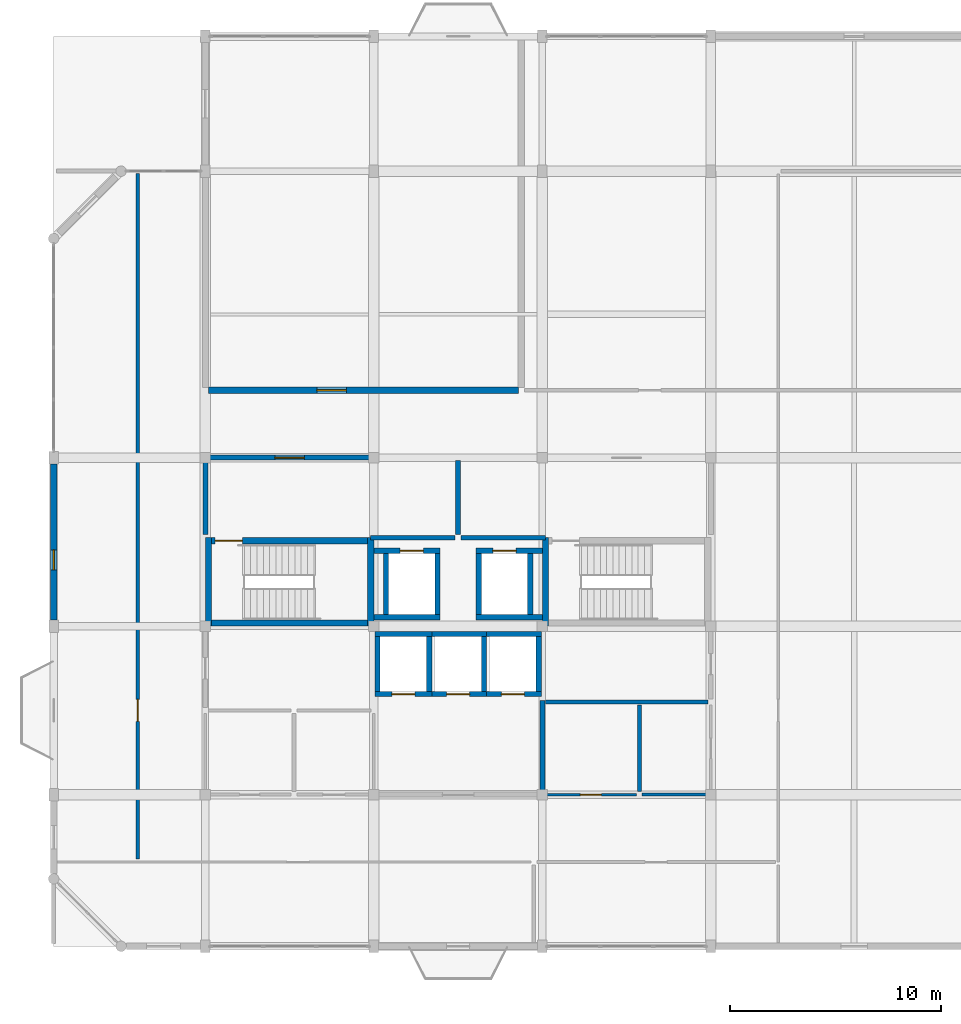
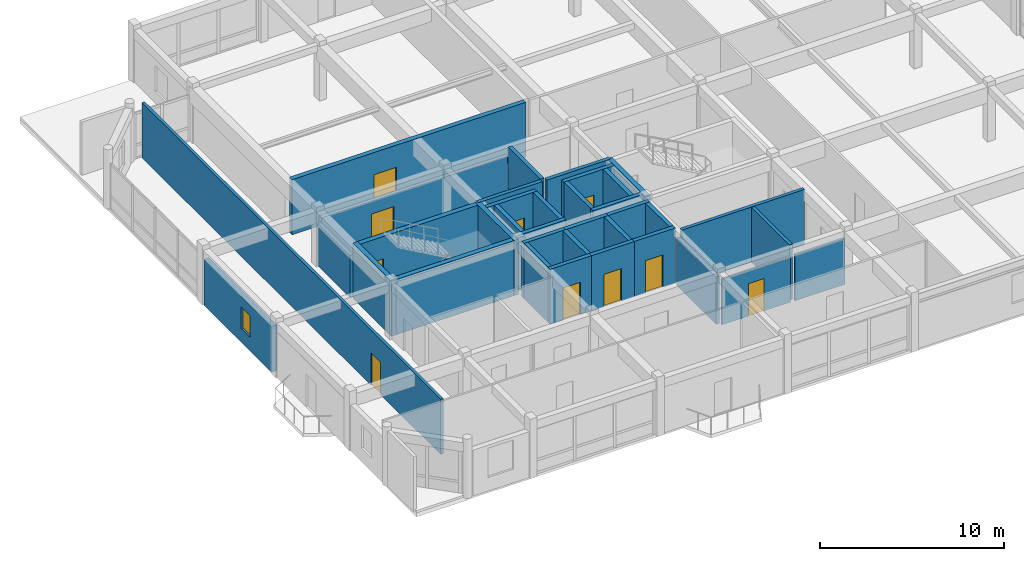
# One storey, part 9 of 12: 36 walls, 10 doors, 1 window, 11 openings.
"""IFC4 building model written with IfcOpenShell, lengths in metres."""

from ifc_helpers import new_model, si_unit, direction, frame, frame_2d, origin, place, context, subcontext, project, spatial, rectangle, extrude, material, layer, layer_set, type_object, element, fill, save


model = new_model("IFC4")

# Units and contexts
model_context = context("Model", 3, precision=1e-05, world=origin(), true_north=direction((0.0, 1.0)))
body_context = subcontext(model_context, "Body", "Model", "MODEL_VIEW")
ifc_project = project(units=[si_unit("LENGTHUNIT", "METRE"), si_unit("AREAUNIT", "SQUARE_METRE"), si_unit("VOLUMEUNIT", "CUBIC_METRE"), si_unit("PLANEANGLEUNIT", "RADIAN"), si_unit("MASSUNIT", "GRAM", prefix="KILO")], contexts=[model_context])

# Site, building, storey
site_placement = place(None, origin())
site = spatial("IfcSite", under=ifc_project, at=site_placement, CompositionType="ELEMENT")
building_placement = place(site_placement, origin())
building = spatial("IfcBuilding", under=site, at=building_placement, Name="Vellmiral Cinema and Media Centre", CompositionType="ELEMENT")
storey_placement = place(building_placement, frame((0.0, 0.0, 62.64990234375)))
storey = spatial("IfcBuildingStorey", under=building, at=storey_placement, Name="L15", CompositionType="ELEMENT", Elevation=62.64990234375)

# Wall, opening, door
ifc_material_1 = material(Name="Calcium-Silicate Masonry Blockwork", Category="masonry")
ifc_layer_1 = layer(ifc_material_1, 0.10009765625, Name="Calcium-Silicate Masonry Blockwork", Category="masonry")
ifc_material_2 = material(Name="Mineral Wool Acoustic Insulation", Category="insulation")
ifc_layer_2 = layer(ifc_material_2, 0.090087890625, Name="Mineral Wool Acoustic Insulation", Category="insulation")
ifc_layer_3 = layer(ifc_material_1, 0.10009765625, Name="Calcium-Silicate Masonry Blockwork", Category="masonry")
ifc_layer_set_1 = layer_set([ifc_layer_1, ifc_layer_2, ifc_layer_3], Name="Calcium-Silicate Masonry Blockwork")
wall_type_1 = type_object("IfcWallType", Name="WL-AC-290", PredefinedType="SOLIDWALL", material=ifc_layer_set_1)
wall_1_placement = place(storey_placement, frame((124.139892578125, 98.39990234375, 0.0), z_axis=(0.0, 0.0, 1.0), x_axis=(1.0, 0.0, 0.0)))
wall_1 = element("IfcWall", 1, at=wall_1_placement, inside=storey, type_object=wall_type_1, Name="Executive Documentary Screening Room Wall S", PredefinedType="SOLIDWALL", context=body_context, shape_type="SweptSolid", body=[
    extrude(rectangle(XDim=14.72021484375, YDim=0.2900390625, at=frame_2d((7.360107421875, 0.0))), origin(), (0.0, 0.0, 1.0), 3.670166015625),
])
opening_1_placement = place(wall_1_placement, frame((5.159912109375, 0.0, 0.0)))
opening_1 = element("IfcOpeningElement", 2, at=opening_1_placement, cuts=wall_1, Name="Opening D-AC4", PredefinedType="OPENING", context=body_context, shape_type="SweptSolid", body=[
    extrude(rectangle(XDim=1.39990234375, YDim=2.199951171875, at=frame_2d((0.699951171875, 1.10009765625))), frame((0.0, 0.156982421875, 0.0), z_axis=(0.0, -1.0, 0.0), x_axis=(1.0, 0.0, 0.0)), (0.0, 0.0, 1.0), 0.31396484375),
])
ifc_material_3 = material(Name="Acoustic Studio Door", Category="steel")
door_type_1 = type_object("IfcDoorType", Name="DR-AC-1400x2200", OperationType="NOTDEFINED", PredefinedType="DOOR", material=ifc_material_3)
door_1_placement = place(opening_1_placement, frame((1.39990234375, 0.0, 0.0), z_axis=(0.0, 0.0, 1.0), x_axis=(-1.0, 0.0, 0.0)))
door_1 = element("IfcDoor", 3, at=door_1_placement, inside=storey, type_object=door_type_1, Name="Executive Documentary Screening Room Door", OperationType="SINGLE_SWING_RIGHT", OverallHeight=2.199951171875, OverallWidth=1.39990234375, PredefinedType="DOOR", context=body_context, shape_type="SweptSolid", body=[
    extrude(rectangle(XDim=1.39990234375, YDim=2.199951171875, at=frame_2d((0.699951171875, 1.10009765625))), frame((0.0, 0.02490234375, 0.0), z_axis=(0.0, -1.0, 0.0), x_axis=(1.0, 0.0, 0.0)), (0.0, 0.0, 1.0), 0.050048828125),
])
fill(opening_1, door_1)

# Walls
ifc_material_4 = material(Name="Concrete C40/50", Category="concrete")
ifc_layer_4 = layer(ifc_material_4, 0.2099609375, Name="Concrete C40/50")
ifc_layer_set_2 = layer_set([ifc_layer_4], Name="Concrete C40/50")
wall_type_2 = type_object("IfcWallType", Name="WL-COMP-210", PredefinedType="SOLIDWALL", material=ifc_layer_set_2)
wall_2_placement = place(storey_placement, frame((140.139892578125, 83.60009765625, 0.0), z_axis=(0.0, 0.0, 1.0), x_axis=(1.0, 0.0, 0.0)))
element("IfcWall", 4, at=wall_2_placement, inside=storey, type_object=wall_type_2, Name="Mechanical Riser and Duct Room Wall S", PredefinedType="SOLIDWALL", context=body_context, shape_type="SweptSolid", body=[
    extrude(rectangle(XDim=7.72021484375, YDim=0.2099609375, at=frame_2d((3.860107421875, 0.0))), origin(), (0.0, 0.0, 1.0), 3.670166015625),
])
ifc_material_5 = material(Name="Concrete C40/50", Category="concrete")
ifc_layer_5 = layer(ifc_material_5, 0.300048828125, Name="Concrete C40/50")
ifc_layer_set_3 = layer_set([ifc_layer_5], Name="Concrete C40/50")
wall_type_3 = type_object("IfcWallType", Name="WL-CORE-300", PredefinedType="SHEAR", material=ifc_layer_set_3)
for number, where, z_axis, x_axis, name in (
    (5, (124.14990234375, 87.199951171875, 0.0), (0.0, 0.0, 1.0), (0.0, 1.0, 0.0), "Stair Core Wall ST-T1 L15-W"),
    (6, (131.85009765625, 87.199951171875, 0.0), (0.0, 0.0, 1.0), (0.0, 1.0, 0.0), "Stair Core Wall ST-T1 L15-E"),
):
    element("IfcWall", number, at=place(storey_placement, frame(where, z_axis=z_axis, x_axis=x_axis)), inside=storey, type_object=wall_type_3, Name=name, PredefinedType="SHEAR", context=body_context, shape_type="SweptSolid", body=[
        extrude(rectangle(XDim=4.199951171875, YDim=0.300048828125, at=frame_2d((2.10009765625, 0.0))), origin(), (0.0, 0.0, 1.0), 3.670166015625),
    ])
wall_3_placement = place(storey_placement, frame((124.300048828125, 87.35009765625, 0.0), z_axis=(0.0, 0.0, 1.0), x_axis=(1.0, 0.0, 0.0)))
element("IfcWall", 7, at=wall_3_placement, inside=storey, type_object=wall_type_3, Name="Stair Core Wall ST-T1 L15-S", PredefinedType="SHEAR", context=body_context, shape_type="SweptSolid", body=[
    extrude(rectangle(XDim=7.39990234375, YDim=0.300048828125, at=frame_2d((3.699951171875, 0.0))), origin(), (0.0, 0.0, 1.0), 3.670166015625),
])

# Wall, opening, door
wall_4_placement = place(storey_placement, frame((124.300048828125, 91.25, 0.0), z_axis=(0.0, 0.0, 1.0), x_axis=(1.0, 0.0, 0.0)))
wall_4 = element("IfcWall", 8, at=wall_4_placement, inside=storey, type_object=wall_type_3, Name="Stair Core Wall ST-T1 L15-N", PredefinedType="SHEAR", context=body_context, shape_type="SweptSolid", body=[
    extrude(rectangle(XDim=7.39990234375, YDim=0.300048828125, at=frame_2d((3.699951171875, 0.0))), origin(), (0.0, 0.0, 1.0), 3.670166015625),
])
opening_2_placement = place(wall_4_placement, frame((0.159912109375, 0.0, 0.0)))
opening_2 = element("IfcOpeningElement", 9, at=opening_2_placement, cuts=wall_4, Name="Opening D-FD30A", PredefinedType="OPENING", context=body_context, shape_type="SweptSolid", body=[
    extrude(rectangle(XDim=1.300048828125, YDim=2.179931640625, at=frame_2d((0.64990234375, 1.08984375))), frame((0.0, 0.162109375, 0.0), z_axis=(0.0, -1.0, 0.0), x_axis=(1.0, 0.0, 0.0)), (0.0, 0.0, 1.0), 0.323974609375),
])
ifc_material_6 = material(Name="Steel Stair Fire Door", Category="steel")
door_type_2 = type_object("IfcDoorType", Name="DR-FD30-1300x2180", OperationType="NOTDEFINED", PredefinedType="DOOR", material=ifc_material_6)
door_2_placement = place(opening_2_placement, frame((1.300048828125, 0.0, 0.0), z_axis=(0.0, 0.0, 1.0), x_axis=(-1.0, 0.0, 0.0)))
door_2 = element("IfcDoor", 10, at=door_2_placement, inside=storey, type_object=door_type_2, Name="Protected Stair Door ST-T1 L15", OperationType="SINGLE_SWING_RIGHT", OverallHeight=2.179931640625, OverallWidth=1.300048828125, PredefinedType="DOOR", context=body_context, shape_type="SweptSolid", body=[
    extrude(rectangle(XDim=1.300048828125, YDim=2.179931640625, at=frame_2d((0.64990234375, 1.08984375))), frame((0.0, 0.02490234375, 0.0), z_axis=(0.0, -1.0, 0.0), x_axis=(1.0, 0.0, 0.0)), (0.0, 0.0, 1.0), 0.050048828125),
])
fill(opening_2, door_2)

# Wall
wall_5_placement = place(storey_placement, frame((140.14990234375, 87.199951171875, 0.0), z_axis=(0.0, 0.0, 1.0), x_axis=(0.0, 1.0, 0.0)))
element("IfcWall", 11, at=wall_5_placement, inside=storey, type_object=wall_type_3, Name="Stair Core Wall ST-T2 L15-W", PredefinedType="SHEAR", context=body_context, shape_type="SweptSolid", body=[
    extrude(rectangle(XDim=4.199951171875, YDim=0.300048828125, at=frame_2d((2.10009765625, 0.0))), origin(), (0.0, 0.0, 1.0), 3.670166015625),
])

# Wall, opening, window
ifc_material_7 = material(Name="Polychrome Glazed Ceramic Cladding", Category="masonry")
ifc_layer_6 = layer(ifc_material_7, 0.320068359375, Name="Polychrome Glazed Ceramic Cladding")
ifc_layer_set_4 = layer_set([ifc_layer_6], Name="Polychrome Glazed Ceramic Cladding")
wall_type_4 = type_object("IfcWallType", Name="WL-EXT-BRICK-320", PredefinedType="SOLIDWALL", material=ifc_layer_set_4)
wall_6_placement = place(storey_placement, frame((116.800048828125, 94.89990234375, 0.0), z_axis=(0.0, 0.0, 1.0), x_axis=(0.0, -1.0, 0.0)))
wall_6 = element("IfcWall", 12, at=wall_6_placement, inside=storey, type_object=wall_type_4, Name="Exterior Facade Wall L15-023", PredefinedType="SOLIDWALL", context=body_context, shape_type="SweptSolid", body=[
    extrude(rectangle(XDim=7.39990234375, YDim=0.320068359375, at=frame_2d((3.699951171875, 0.0))), origin(), (0.0, 0.0, 1.0), 3.050048828125),
])
opening_3_placement = place(wall_6_placement, frame((4.074951171875, 0.0, 0.89990234375)))
opening_3 = element("IfcOpeningElement", 13, at=opening_3_placement, cuts=wall_6, Name="Opening WN-12", PredefinedType="OPENING", context=body_context, shape_type="SweptSolid", body=[
    extrude(rectangle(XDim=0.949951171875, YDim=1.449951171875, at=frame_2d((0.47509765625, 0.72509765625))), frame((0.0, 0.171875, 0.0), z_axis=(0.0, -1.0, 0.0), x_axis=(1.0, 0.0, 0.0)), (0.0, 0.0, 1.0), 0.343994140625),
])
ifc_material_8 = material(Name="Thermally Broken Aluminium Triple Glazing", Category="aluminium")
window_type = type_object("IfcWindowType", Name="WN-0950x1450", PartitioningType="SINGLE_PANEL", PredefinedType="WINDOW", material=ifc_material_8)
window_placement = place(opening_3_placement, origin())
window = element("IfcWindow", 14, at=window_placement, inside=storey, type_object=window_type, Name="Window L15-023", OverallHeight=1.449951171875, OverallWidth=0.949951171875, PartitioningType="SINGLE_PANEL", PredefinedType="WINDOW", context=body_context, shape_type="SweptSolid", body=[
    extrude(rectangle(XDim=0.949951171875, YDim=1.449951171875, at=frame_2d((0.47509765625, 0.72509765625))), frame((0.0, 0.030029296875, 0.0), z_axis=(0.0, -1.0, 0.0), x_axis=(1.0, 0.0, 0.0)), (0.0, 0.0, 1.0), 0.06005859375),
])
fill(opening_3, window)

# Wall
ifc_material_9 = material(Name="Concrete C40/50", Category="concrete")
ifc_layer_7 = layer(ifc_material_9, 0.22998046875, Name="Concrete C40/50")
ifc_layer_set_5 = layer_set([ifc_layer_7], Name="Concrete C40/50")
wall_type_5 = type_object("IfcWallType", Name="WL-FFL-230", PredefinedType="SOLIDWALL", material=ifc_layer_set_5)
wall_7_placement = place(storey_placement, frame((131.840087890625, 91.39990234375, 0.0), z_axis=(0.0, 0.0, 1.0), x_axis=(1.0, 0.0, 0.0)))
element("IfcWall", 15, at=wall_7_placement, inside=storey, type_object=wall_type_5, Name="Firefighting Lobby West Wall S", PredefinedType="SOLIDWALL", context=body_context, shape_type="SweptSolid", body=[
    extrude(rectangle(XDim=4.02001953125, YDim=0.22998046875, at=frame_2d((2.010009765625, 0.0))), origin(), (0.0, 0.0, 1.0), 3.670166015625),
])

# Wall, opening, door
wall_8_placement = place(storey_placement, frame((124.139892578125, 95.199951171875, 0.0), z_axis=(0.0, 0.0, 1.0), x_axis=(1.0, 0.0, 0.0)))
wall_8 = element("IfcWall", 16, at=wall_8_placement, inside=storey, type_object=wall_type_5, Name="Firefighting Lobby West Wall N", PredefinedType="SOLIDWALL", context=body_context, shape_type="SweptSolid", body=[
    extrude(rectangle(XDim=11.72021484375, YDim=0.22998046875, at=frame_2d((5.860107421875, 0.0))), origin(), (0.0, 0.0, 1.0), 3.045166015625),
])
opening_4_placement = place(wall_8_placement, frame((3.159912109375, 0.0, 0.0)))
opening_4 = element("IfcOpeningElement", 17, at=opening_4_placement, cuts=wall_8, Name="Opening D-FD60B", PredefinedType="OPENING", context=body_context, shape_type="SweptSolid", body=[
    extrude(rectangle(XDim=1.39990234375, YDim=2.199951171875, at=frame_2d((0.699951171875, 1.10009765625))), frame((0.0, 0.126953125, 0.0), z_axis=(0.0, -1.0, 0.0), x_axis=(1.0, 0.0, 0.0)), (0.0, 0.0, 1.0), 0.25390625),
])
ifc_material_10 = material(Name="Steel Fire Door", Category="steel")
door_type_3 = type_object("IfcDoorType", Name="DR-FD60-1400x2200", OperationType="NOTDEFINED", PredefinedType="DOOR", material=ifc_material_10)
door_3_placement = place(opening_4_placement, frame((1.39990234375, 0.0, 0.0), z_axis=(0.0, 0.0, 1.0), x_axis=(-1.0, 0.0, 0.0)))
door_3 = element("IfcDoor", 18, at=door_3_placement, inside=storey, type_object=door_type_3, Name="Firefighting Lobby West Door", OperationType="SINGLE_SWING_RIGHT", OverallHeight=2.199951171875, OverallWidth=1.39990234375, PredefinedType="DOOR", context=body_context, shape_type="SweptSolid", body=[
    extrude(rectangle(XDim=1.39990234375, YDim=2.199951171875, at=frame_2d((0.699951171875, 1.10009765625))), frame((0.0, 0.02490234375, 0.0), z_axis=(0.0, -1.0, 0.0), x_axis=(1.0, 0.0, 0.0)), (0.0, 0.0, 1.0), 0.050048828125),
])
fill(opening_4, door_3)

# Walls
wall_9_placement = place(storey_placement, frame((124.0, 91.5400390625, 0.0), z_axis=(0.0, 0.0, 1.0), x_axis=(0.0, 1.0, 0.0)))
element("IfcWall", 19, at=wall_9_placement, inside=storey, type_object=wall_type_5, Name="Firefighting Lobby West Wall W", PredefinedType="SOLIDWALL", context=body_context, shape_type="SweptSolid", body=[
    extrude(rectangle(XDim=3.52001953125, YDim=0.22998046875, at=frame_2d((1.760009765625, 0.0))), origin(), (0.0, 0.0, 1.0), 2.795166015625),
])
wall_10_placement = place(storey_placement, frame((136.0, 91.5400390625, 0.0), z_axis=(0.0, 0.0, 1.0), x_axis=(0.0, 1.0, 0.0)))
element("IfcWall", 20, at=wall_10_placement, inside=storey, type_object=wall_type_5, Name="Firefighting Lobby West Wall E", PredefinedType="SOLIDWALL", context=body_context, shape_type="SweptSolid", body=[
    extrude(rectangle(XDim=3.52001953125, YDim=0.22998046875, at=frame_2d((1.760009765625, 0.0))), origin(), (0.0, 0.0, 1.0), 3.670166015625),
])
wall_11_placement = place(storey_placement, frame((136.139892578125, 91.39990234375, 0.0), z_axis=(0.0, 0.0, 1.0), x_axis=(1.0, 0.0, 0.0)))
element("IfcWall", 21, at=wall_11_placement, inside=storey, type_object=wall_type_5, Name="Firefighting Lobby East Wall S", PredefinedType="SOLIDWALL", context=body_context, shape_type="SweptSolid", body=[
    extrude(rectangle(XDim=4.02001953125, YDim=0.22998046875, at=frame_2d((2.010009765625, 0.0))), origin(), (0.0, 0.0, 1.0), 3.670166015625),
])
wall_12_placement = place(storey_placement, frame((140.0, 79.340087890625, 0.0), z_axis=(0.0, 0.0, 1.0), x_axis=(0.0, 1.0, 0.0)))
element("IfcWall", 22, at=wall_12_placement, inside=storey, type_object=wall_type_5, Name="Tower Passenger Lift Lobby Wall E", PredefinedType="SOLIDWALL", context=body_context, shape_type="SweptSolid", body=[
    extrude(rectangle(XDim=4.31982421875, YDim=0.22998046875, at=frame_2d((2.159912109375, 0.0))), origin(), (0.0, 0.0, 1.0), 3.14501953125),
])

# Wall, opening, door
ifc_material_11 = material(Name="Gypsum Plasterboard")
ifc_layer_8 = layer(ifc_material_11, 0.02490234375, Name="Gypsum Plasterboard", Category="gypsum")
ifc_material_12 = material(Name="Mineral Wool Acoustic Insulation", Category="insulation")
ifc_layer_9 = layer(ifc_material_12, 0.06005859375, Name="Mineral Wool Acoustic Insulation", Category="insulation")
ifc_layer_10 = layer(ifc_material_11, 0.02490234375, Name="Gypsum Plasterboard", Category="gypsum")
ifc_layer_set_6 = layer_set([ifc_layer_8, ifc_layer_9, ifc_layer_10], Name="Gypsum Plasterboard")
wall_type_6 = type_object("IfcWallType", Name="WL-PART-110", PredefinedType="PARTITIONING", material=ifc_layer_set_6)
wall_13_placement = place(storey_placement, frame((140.139892578125, 79.199951171875, 0.0), z_axis=(0.0, 0.0, 1.0), x_axis=(1.0, 0.0, 0.0)))
wall_13 = element("IfcWall", 23, at=wall_13_placement, inside=storey, type_object=wall_type_6, Name="Staff Tea Pantry Wall S", PredefinedType="PARTITIONING", context=body_context, shape_type="SweptSolid", body=[
    extrude(rectangle(XDim=4.320068359375, YDim=0.110107421875, at=frame_2d((2.16015625, 0.0))), origin(), (0.0, 0.0, 1.0), 3.045166015625),
])
opening_5_placement = place(wall_13_placement, frame((1.659912109375, 0.0, 0.0)))
opening_5 = element("IfcOpeningElement", 24, at=opening_5_placement, cuts=wall_13, Name="Opening D-I08", PredefinedType="OPENING", context=body_context, shape_type="SweptSolid", body=[
    extrude(rectangle(XDim=1.0, YDim=2.14990234375, at=frame_2d((0.5, 1.074951171875))), frame((0.0, 0.06689453125, 0.0), z_axis=(0.0, -1.0, 0.0), x_axis=(1.0, 0.0, 0.0)), (0.0, 0.0, 1.0), 0.134033203125),
])
ifc_material_13 = material(Name="Laminated Timber Door", Category="wood")
door_type_4 = type_object("IfcDoorType", Name="DR-INT-1000x2150", OperationType="NOTDEFINED", PredefinedType="DOOR", material=ifc_material_13)
door_4_placement = place(opening_5_placement, origin())
door_4 = element("IfcDoor", 25, at=door_4_placement, inside=storey, type_object=door_type_4, Name="Staff Tea Pantry Door", OperationType="SINGLE_SWING_RIGHT", OverallHeight=2.14990234375, OverallWidth=1.0, PredefinedType="DOOR", context=body_context, shape_type="SweptSolid", body=[
    extrude(rectangle(XDim=1.0, YDim=2.14990234375, at=frame_2d((0.5, 1.074951171875))), frame((0.0, 0.02490234375, 0.0), z_axis=(0.0, -1.0, 0.0), x_axis=(1.0, 0.0, 0.0)), (0.0, 0.0, 1.0), 0.050048828125),
])
fill(opening_5, door_4)

# Wall
ifc_material_14 = material(Name="Gypsum Plasterboard")
ifc_layer_11 = layer(ifc_material_14, 0.02490234375, Name="Gypsum Plasterboard", Category="gypsum")
ifc_material_15 = material(Name="Mineral Wool Acoustic Insulation", Category="insulation")
ifc_layer_12 = layer(ifc_material_15, 0.10009765625, Name="Mineral Wool Acoustic Insulation", Category="insulation")
ifc_layer_13 = layer(ifc_material_14, 0.02490234375, Name="Gypsum Plasterboard", Category="gypsum")
ifc_layer_set_7 = layer_set([ifc_layer_11, ifc_layer_12, ifc_layer_13], Name="Gypsum Plasterboard")
wall_type_7 = type_object("IfcWallType", Name="WL-PART-150", PredefinedType="PARTITIONING", material=ifc_layer_set_7)
wall_14_placement = place(storey_placement, frame((144.739990234375, 79.199951171875, 0.0), z_axis=(0.0, 0.0, 1.0), x_axis=(1.0, 0.0, 0.0)))
element("IfcWall", 26, at=wall_14_placement, inside=storey, type_object=wall_type_7, Name="Equipment Store Room Wall S", PredefinedType="PARTITIONING", context=body_context, shape_type="SweptSolid", body=[
    extrude(rectangle(XDim=3.1201171875, YDim=0.14990234375, at=frame_2d((1.56005859375, 0.0))), origin(), (0.0, 0.0, 1.0), 3.045166015625),
])

# Wall, opening, door
ifc_material_16 = material(Name="Gypsum Plasterboard")
ifc_layer_14 = layer(ifc_material_16, 0.02490234375, Name="Gypsum Plasterboard", Category="gypsum")
ifc_material_17 = material(Name="Mineral Wool Acoustic Insulation", Category="insulation")
ifc_layer_15 = layer(ifc_material_17, 0.1201171875, Name="Mineral Wool Acoustic Insulation", Category="insulation")
ifc_layer_16 = layer(ifc_material_16, 0.02490234375, Name="Gypsum Plasterboard", Category="gypsum")
ifc_layer_set_8 = layer_set([ifc_layer_14, ifc_layer_15, ifc_layer_16], Name="Gypsum Plasterboard")
wall_type_8 = type_object("IfcWallType", Name="WL-PART-170", PredefinedType="PARTITIONING", material=ifc_layer_set_8)
wall_15_placement = place(storey_placement, frame((120.800048828125, 76.139892578125, 0.0), z_axis=(0.0, 0.0, 1.0), x_axis=(0.0, 1.0, 0.0)))
wall_15 = element("IfcWall", 27, at=wall_15_placement, inside=storey, type_object=wall_type_8, Name="West Executive Mirador Office Wall E", PredefinedType="PARTITIONING", context=body_context, shape_type="SweptSolid", body=[
    extrude(rectangle(XDim=32.55517578125, YDim=0.169921875, at=frame_2d((16.277587890625, 0.0))), origin(), (0.0, 0.0, 1.0), 3.670166015625),
])
opening_6_placement = place(wall_15_placement, frame((6.534912109375, 0.0, 0.0)))
opening_6 = element("IfcOpeningElement", 28, at=opening_6_placement, cuts=wall_15, Name="Opening D-I07", PredefinedType="OPENING", context=body_context, shape_type="SweptSolid", body=[
    extrude(rectangle(XDim=1.050048828125, YDim=2.14990234375, at=frame_2d((0.52490234375, 1.074951171875))), frame((0.0, 0.096923828125, 0.0), z_axis=(0.0, -1.0, 0.0), x_axis=(1.0, 0.0, 0.0)), (0.0, 0.0, 1.0), 0.19384765625),
])
ifc_material_18 = material(Name="Laminated Timber Door", Category="wood")
door_type_5 = type_object("IfcDoorType", Name="DR-INT-1050x2150", OperationType="NOTDEFINED", PredefinedType="DOOR", material=ifc_material_18)
door_5_placement = place(opening_6_placement, origin())
door_5 = element("IfcDoor", 29, at=door_5_placement, inside=storey, type_object=door_type_5, Name="West Executive Mirador Office Door", OperationType="SINGLE_SWING_LEFT", OverallHeight=2.14990234375, OverallWidth=1.050048828125, PredefinedType="DOOR", context=body_context, shape_type="SweptSolid", body=[
    extrude(rectangle(XDim=1.050048828125, YDim=2.14990234375, at=frame_2d((0.52490234375, 1.074951171875))), frame((0.0, 0.02490234375, 0.0), z_axis=(0.0, -1.0, 0.0), x_axis=(1.0, 0.0, 0.0)), (0.0, 0.0, 1.0), 0.050048828125),
])
fill(opening_6, door_5)

# Walls
ifc_material_19 = material(Name="Gypsum Plasterboard")
ifc_layer_17 = layer(ifc_material_19, 0.02490234375, Name="Gypsum Plasterboard", Category="gypsum")
ifc_material_20 = material(Name="Mineral Wool Acoustic Insulation", Category="insulation")
ifc_layer_18 = layer(ifc_material_20, 0.139892578125, Name="Mineral Wool Acoustic Insulation", Category="insulation")
ifc_layer_19 = layer(ifc_material_19, 0.02490234375, Name="Gypsum Plasterboard", Category="gypsum")
ifc_layer_set_9 = layer_set([ifc_layer_17, ifc_layer_18, ifc_layer_19], Name="Gypsum Plasterboard")
wall_type_9 = type_object("IfcWallType", Name="WL-PART-190", PredefinedType="PARTITIONING", material=ifc_layer_set_9)
wall_16_placement = place(storey_placement, frame((144.60009765625, 79.340087890625, 0.0), z_axis=(0.0, 0.0, 1.0), x_axis=(0.0, 1.0, 0.0)))
element("IfcWall", 30, at=wall_16_placement, inside=storey, type_object=wall_type_9, Name="Staff Tea Pantry Wall E", PredefinedType="PARTITIONING", context=body_context, shape_type="SweptSolid", body=[
    extrude(rectangle(XDim=4.119873046875, YDim=0.18994140625, at=frame_2d((2.06005859375, 0.0))), origin(), (0.0, 0.0, 1.0), 3.670166015625),
])
ifc_material_21 = material(Name="Concrete C40/50", Category="concrete")
ifc_layer_20 = layer(ifc_material_21, 0.25, Name="Concrete C40/50")
ifc_layer_set_10 = layer_set([ifc_layer_20], Name="Concrete C40/50")
wall_type_10 = type_object("IfcWallType", Name="WL-SHAFT-250", PredefinedType="SHEAR", material=ifc_layer_set_10)
wall_17_placement = place(storey_placement, frame((132.0, 87.625, 0.0), z_axis=(0.0, 0.0, 1.0), x_axis=(1.0, 0.0, 0.0)))
element("IfcWall", 31, at=wall_17_placement, inside=storey, type_object=wall_type_10, Name="Lift Shaft Wall LF-FF1 L15-S", PredefinedType="SHEAR", context=body_context, shape_type="SweptSolid", body=[
    extrude(rectangle(XDim=3.14990234375, YDim=0.25, at=frame_2d((1.574951171875, 0.0))), origin(), (0.0, 0.0, 1.0), 3.670166015625),
])

# Wall, opening, door
wall_18_placement = place(storey_placement, frame((132.0, 90.77490234375, 0.0), z_axis=(0.0, 0.0, 1.0), x_axis=(1.0, 0.0, 0.0)))
wall_18 = element("IfcWall", 32, at=wall_18_placement, inside=storey, type_object=wall_type_10, Name="Lift Shaft Wall LF-FF1 L15-N", PredefinedType="SHEAR", context=body_context, shape_type="SweptSolid", body=[
    extrude(rectangle(XDim=3.14990234375, YDim=0.25, at=frame_2d((1.574951171875, 0.0))), origin(), (0.0, 0.0, 1.0), 3.670166015625),
])
opening_7_placement = place(wall_18_placement, frame((1.25, 0.0, 0.0)))
opening_7 = element("IfcOpeningElement", 33, at=opening_7_placement, cuts=wall_18, Name="Opening LD-01", PredefinedType="OPENING", context=body_context, shape_type="SweptSolid", body=[
    extrude(rectangle(XDim=1.10009765625, YDim=2.14990234375, at=frame_2d((0.550048828125, 1.074951171875))), frame((0.0, 0.136962890625, 0.0), z_axis=(0.0, -1.0, 0.0), x_axis=(1.0, 0.0, 0.0)), (0.0, 0.0, 1.0), 0.27392578125),
])
ifc_material_22 = material(Name="Stainless Steel Lift Landing Door", Category="steel")
door_type_6 = type_object("IfcDoorType", Name="DR-LIFT-1100x2150", OperationType="SLIDING_TO_LEFT", PredefinedType="DOOR", material=ifc_material_22)
door_6_placement = place(opening_7_placement, origin())
door_6 = element("IfcDoor", 34, at=door_6_placement, inside=storey, type_object=door_type_6, Name="Lift Landing Door LF-FF1 L15", OperationType="SLIDING_TO_LEFT", OverallHeight=2.14990234375, OverallWidth=1.10009765625, PredefinedType="DOOR", context=body_context, shape_type="SweptSolid", body=[
    extrude(rectangle(XDim=1.10009765625, YDim=2.14990234375, at=frame_2d((0.550048828125, 1.074951171875))), frame((0.0, 0.02490234375, 0.0), z_axis=(0.0, -1.0, 0.0), x_axis=(1.0, 0.0, 0.0)), (0.0, 0.0, 1.0), 0.050048828125),
])
fill(opening_7, door_6)

# Walls
for number, where, z_axis, x_axis, name in (
    (35, (132.574951171875, 87.75, 0.0), (0.0, 0.0, 1.0), (0.0, 1.0, 0.0), "Lift Shaft Wall LF-FF1 L15-W"),
    (36, (135.02490234375, 87.75, 0.0), (0.0, 0.0, 1.0), (0.0, 1.0, 0.0), "Lift Shaft Wall LF-FF1 L15-E"),
):
    element("IfcWall", number, at=place(storey_placement, frame(where, z_axis=z_axis, x_axis=x_axis)), inside=storey, type_object=wall_type_10, Name=name, PredefinedType="SHEAR", context=body_context, shape_type="SweptSolid", body=[
        extrude(rectangle(XDim=2.89990234375, YDim=0.25, at=frame_2d((1.449951171875, 0.0))), origin(), (0.0, 0.0, 1.0), 3.670166015625),
    ])
wall_19_placement = place(storey_placement, frame((136.85009765625, 87.625, 0.0), z_axis=(0.0, 0.0, 1.0), x_axis=(1.0, 0.0, 0.0)))
element("IfcWall", 37, at=wall_19_placement, inside=storey, type_object=wall_type_10, Name="Lift Shaft Wall LF-FF2 L15-S", PredefinedType="SHEAR", context=body_context, shape_type="SweptSolid", body=[
    extrude(rectangle(XDim=3.14990234375, YDim=0.25, at=frame_2d((1.574951171875, 0.0))), origin(), (0.0, 0.0, 1.0), 3.670166015625),
])

# Wall, opening, door
wall_20_placement = place(storey_placement, frame((136.85009765625, 90.77490234375, 0.0), z_axis=(0.0, 0.0, 1.0), x_axis=(1.0, 0.0, 0.0)))
wall_20 = element("IfcWall", 38, at=wall_20_placement, inside=storey, type_object=wall_type_10, Name="Lift Shaft Wall LF-FF2 L15-N", PredefinedType="SHEAR", context=body_context, shape_type="SweptSolid", body=[
    extrude(rectangle(XDim=3.14990234375, YDim=0.25, at=frame_2d((1.574951171875, 0.0))), origin(), (0.0, 0.0, 1.0), 3.670166015625),
])
opening_8_placement = place(wall_20_placement, frame((0.800048828125, 0.0, 0.0)))
opening_8 = element("IfcOpeningElement", 39, at=opening_8_placement, cuts=wall_20, Name="Opening LD-01", PredefinedType="OPENING", context=body_context, shape_type="SweptSolid", body=[
    extrude(rectangle(XDim=1.10009765625, YDim=2.14990234375, at=frame_2d((0.550048828125, 1.074951171875))), frame((0.0, 0.136962890625, 0.0), z_axis=(0.0, -1.0, 0.0), x_axis=(1.0, 0.0, 0.0)), (0.0, 0.0, 1.0), 0.27392578125),
])
door_7_placement = place(opening_8_placement, origin())
door_7 = element("IfcDoor", 40, at=door_7_placement, inside=storey, type_object=door_type_6, Name="Lift Landing Door LF-FF2 L15", OperationType="SLIDING_TO_LEFT", OverallHeight=2.14990234375, OverallWidth=1.10009765625, PredefinedType="DOOR", context=body_context, shape_type="SweptSolid", body=[
    extrude(rectangle(XDim=1.10009765625, YDim=2.14990234375, at=frame_2d((0.550048828125, 1.074951171875))), frame((0.0, 0.02490234375, 0.0), z_axis=(0.0, -1.0, 0.0), x_axis=(1.0, 0.0, 0.0)), (0.0, 0.0, 1.0), 0.050048828125),
])
fill(opening_8, door_7)

# Walls
for number, where, z_axis, x_axis, name in (
    (41, (136.97509765625, 87.75, 0.0), (0.0, 0.0, 1.0), (0.0, 1.0, 0.0), "Lift Shaft Wall LF-FF2 L15-W"),
    (42, (139.425048828125, 87.75, 0.0), (0.0, 0.0, 1.0), (0.0, 1.0, 0.0), "Lift Shaft Wall LF-FF2 L15-E"),
):
    element("IfcWall", number, at=place(storey_placement, frame(where, z_axis=z_axis, x_axis=x_axis)), inside=storey, type_object=wall_type_10, Name=name, PredefinedType="SHEAR", context=body_context, shape_type="SweptSolid", body=[
        extrude(rectangle(XDim=2.89990234375, YDim=0.25, at=frame_2d((1.449951171875, 0.0))), origin(), (0.0, 0.0, 1.0), 3.670166015625),
    ])

# Wall, opening, door
wall_21_placement = place(storey_placement, frame((132.050048828125, 83.97509765625, 0.0), z_axis=(0.0, 0.0, 1.0), x_axis=(1.0, 0.0, 0.0)))
wall_21 = element("IfcWall", 43, at=wall_21_placement, inside=storey, type_object=wall_type_10, Name="Lift Shaft Wall LF-P1 L15-S", PredefinedType="SHEAR", context=body_context, shape_type="SweptSolid", body=[
    extrude(rectangle(XDim=2.699951171875, YDim=0.25, at=frame_2d((1.35009765625, 0.0))), origin(), (0.0, 0.0, 1.0), 3.670166015625),
])
opening_9_placement = place(wall_21_placement, frame((0.800048828125, 0.0, 0.0)))
opening_9 = element("IfcOpeningElement", 44, at=opening_9_placement, cuts=wall_21, Name="Opening LD-01", PredefinedType="OPENING", context=body_context, shape_type="SweptSolid", body=[
    extrude(rectangle(XDim=1.10009765625, YDim=2.14990234375, at=frame_2d((0.550048828125, 1.074951171875))), frame((0.0, 0.136962890625, 0.0), z_axis=(0.0, -1.0, 0.0), x_axis=(1.0, 0.0, 0.0)), (0.0, 0.0, 1.0), 0.27392578125),
])
door_8_placement = place(opening_9_placement, origin())
door_8 = element("IfcDoor", 45, at=door_8_placement, inside=storey, type_object=door_type_6, Name="Lift Landing Door LF-P1 L15", OperationType="SLIDING_TO_LEFT", OverallHeight=2.14990234375, OverallWidth=1.10009765625, PredefinedType="DOOR", context=body_context, shape_type="SweptSolid", body=[
    extrude(rectangle(XDim=1.10009765625, YDim=2.14990234375, at=frame_2d((0.550048828125, 1.074951171875))), frame((0.0, 0.02490234375, 0.0), z_axis=(0.0, -1.0, 0.0), x_axis=(1.0, 0.0, 0.0)), (0.0, 0.0, 1.0), 0.050048828125),
])
fill(opening_9, door_8)

# Walls
wall_22_placement = place(storey_placement, frame((132.050048828125, 86.824951171875, 0.0), z_axis=(0.0, 0.0, 1.0), x_axis=(1.0, 0.0, 0.0)))
element("IfcWall", 46, at=wall_22_placement, inside=storey, type_object=wall_type_10, Name="Lift Shaft Wall LF-P1 L15-N", PredefinedType="SHEAR", context=body_context, shape_type="SweptSolid", body=[
    extrude(rectangle(XDim=2.699951171875, YDim=0.25, at=frame_2d((1.35009765625, 0.0))), origin(), (0.0, 0.0, 1.0), 3.670166015625),
])
for number, where, z_axis, x_axis, name in (
    (47, (132.175048828125, 84.10009765625, 0.0), (0.0, 0.0, 1.0), (0.0, 1.0, 0.0), "Lift Shaft Wall LF-P1 L15-W"),
    (48, (134.625, 84.10009765625, 0.0), (0.0, 0.0, 1.0), (0.0, 1.0, 0.0), "Lift Shaft Wall LF-P1 L15-E"),
):
    element("IfcWall", number, at=place(storey_placement, frame(where, z_axis=z_axis, x_axis=x_axis)), inside=storey, type_object=wall_type_10, Name=name, PredefinedType="SHEAR", context=body_context, shape_type="SweptSolid", body=[
        extrude(rectangle(XDim=2.599853515625, YDim=0.25, at=frame_2d((1.2998046875, 0.0))), origin(), (0.0, 0.0, 1.0), 3.670166015625),
    ])

# Wall, opening, door
wall_23_placement = place(storey_placement, frame((134.64990234375, 83.97509765625, 0.0), z_axis=(0.0, 0.0, 1.0), x_axis=(1.0, 0.0, 0.0)))
wall_23 = element("IfcWall", 49, at=wall_23_placement, inside=storey, type_object=wall_type_10, Name="Lift Shaft Wall LF-P2 L15-S", PredefinedType="SHEAR", context=body_context, shape_type="SweptSolid", body=[
    extrude(rectangle(XDim=2.7001953125, YDim=0.25, at=frame_2d((1.35009765625, 0.0))), origin(), (0.0, 0.0, 1.0), 3.670166015625),
])
opening_10_placement = place(wall_23_placement, frame((0.800048828125, 0.0, 0.0)))
opening_10 = element("IfcOpeningElement", 50, at=opening_10_placement, cuts=wall_23, Name="Opening LD-01", PredefinedType="OPENING", context=body_context, shape_type="SweptSolid", body=[
    extrude(rectangle(XDim=1.10009765625, YDim=2.14990234375, at=frame_2d((0.550048828125, 1.074951171875))), frame((0.0, 0.136962890625, 0.0), z_axis=(0.0, -1.0, 0.0), x_axis=(1.0, 0.0, 0.0)), (0.0, 0.0, 1.0), 0.27392578125),
])
door_9_placement = place(opening_10_placement, origin())
door_9 = element("IfcDoor", 51, at=door_9_placement, inside=storey, type_object=door_type_6, Name="Lift Landing Door LF-P2 L15", OperationType="SLIDING_TO_LEFT", OverallHeight=2.14990234375, OverallWidth=1.10009765625, PredefinedType="DOOR", context=body_context, shape_type="SweptSolid", body=[
    extrude(rectangle(XDim=1.10009765625, YDim=2.14990234375, at=frame_2d((0.550048828125, 1.074951171875))), frame((0.0, 0.02490234375, 0.0), z_axis=(0.0, -1.0, 0.0), x_axis=(1.0, 0.0, 0.0)), (0.0, 0.0, 1.0), 0.050048828125),
])
fill(opening_10, door_9)

# Walls
wall_24_placement = place(storey_placement, frame((134.64990234375, 86.824951171875, 0.0), z_axis=(0.0, 0.0, 1.0), x_axis=(1.0, 0.0, 0.0)))
element("IfcWall", 52, at=wall_24_placement, inside=storey, type_object=wall_type_10, Name="Lift Shaft Wall LF-P2 L15-N", PredefinedType="SHEAR", context=body_context, shape_type="SweptSolid", body=[
    extrude(rectangle(XDim=2.7001953125, YDim=0.25, at=frame_2d((1.35009765625, 0.0))), origin(), (0.0, 0.0, 1.0), 3.670166015625),
])
wall_25_placement = place(storey_placement, frame((137.22509765625, 84.10009765625, 0.0), z_axis=(0.0, 0.0, 1.0), x_axis=(0.0, 1.0, 0.0)))
element("IfcWall", 53, at=wall_25_placement, inside=storey, type_object=wall_type_10, Name="Lift Shaft Wall LF-P2 L15-E", PredefinedType="SHEAR", context=body_context, shape_type="SweptSolid", body=[
    extrude(rectangle(XDim=2.599853515625, YDim=0.25, at=frame_2d((1.2998046875, 0.0))), origin(), (0.0, 0.0, 1.0), 3.670166015625),
])

# Wall, opening, door
wall_26_placement = place(storey_placement, frame((137.25, 83.97509765625, 0.0), z_axis=(0.0, 0.0, 1.0), x_axis=(1.0, 0.0, 0.0)))
wall_26 = element("IfcWall", 54, at=wall_26_placement, inside=storey, type_object=wall_type_10, Name="Lift Shaft Wall LF-P3 L15-S", PredefinedType="SHEAR", context=body_context, shape_type="SweptSolid", body=[
    extrude(rectangle(XDim=2.699951171875, YDim=0.25, at=frame_2d((1.35009765625, 0.0))), origin(), (0.0, 0.0, 1.0), 3.670166015625),
])
opening_11_placement = place(wall_26_placement, frame((0.800048828125, 0.0, 0.0)))
opening_11 = element("IfcOpeningElement", 55, at=opening_11_placement, cuts=wall_26, Name="Opening LD-01", PredefinedType="OPENING", context=body_context, shape_type="SweptSolid", body=[
    extrude(rectangle(XDim=1.10009765625, YDim=2.14990234375, at=frame_2d((0.550048828125, 1.074951171875))), frame((0.0, 0.136962890625, 0.0), z_axis=(0.0, -1.0, 0.0), x_axis=(1.0, 0.0, 0.0)), (0.0, 0.0, 1.0), 0.27392578125),
])
door_10_placement = place(opening_11_placement, origin())
door_10 = element("IfcDoor", 56, at=door_10_placement, inside=storey, type_object=door_type_6, Name="Lift Landing Door LF-P3 L15", OperationType="SLIDING_TO_LEFT", OverallHeight=2.14990234375, OverallWidth=1.10009765625, PredefinedType="DOOR", context=body_context, shape_type="SweptSolid", body=[
    extrude(rectangle(XDim=1.10009765625, YDim=2.14990234375, at=frame_2d((0.550048828125, 1.074951171875))), frame((0.0, 0.02490234375, 0.0), z_axis=(0.0, -1.0, 0.0), x_axis=(1.0, 0.0, 0.0)), (0.0, 0.0, 1.0), 0.050048828125),
])
fill(opening_11, door_10)

# Walls
wall_27_placement = place(storey_placement, frame((137.25, 86.824951171875, 0.0), z_axis=(0.0, 0.0, 1.0), x_axis=(1.0, 0.0, 0.0)))
element("IfcWall", 57, at=wall_27_placement, inside=storey, type_object=wall_type_10, Name="Lift Shaft Wall LF-P3 L15-N", PredefinedType="SHEAR", context=body_context, shape_type="SweptSolid", body=[
    extrude(rectangle(XDim=2.699951171875, YDim=0.25, at=frame_2d((1.35009765625, 0.0))), origin(), (0.0, 0.0, 1.0), 3.670166015625),
])
wall_28_placement = place(storey_placement, frame((139.824951171875, 84.10009765625, 0.0), z_axis=(0.0, 0.0, 1.0), x_axis=(0.0, 1.0, 0.0)))
element("IfcWall", 58, at=wall_28_placement, inside=storey, type_object=wall_type_10, Name="Lift Shaft Wall LF-P3 L15-E", PredefinedType="SHEAR", context=body_context, shape_type="SweptSolid", body=[
    extrude(rectangle(XDim=2.599853515625, YDim=0.25, at=frame_2d((1.2998046875, 0.0))), origin(), (0.0, 0.0, 1.0), 3.670166015625),
])

save(model, "model.ifc")
